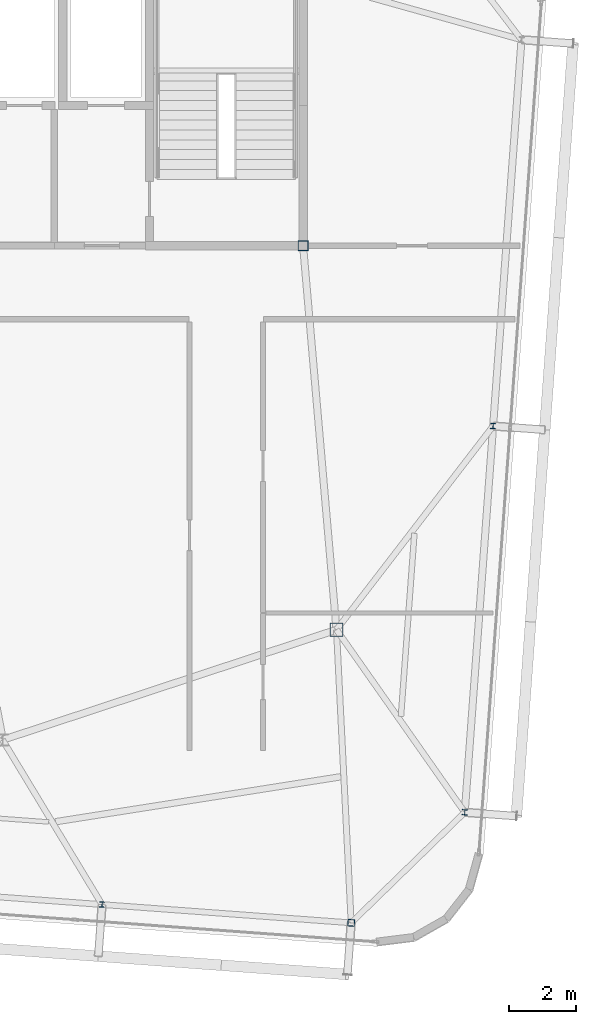
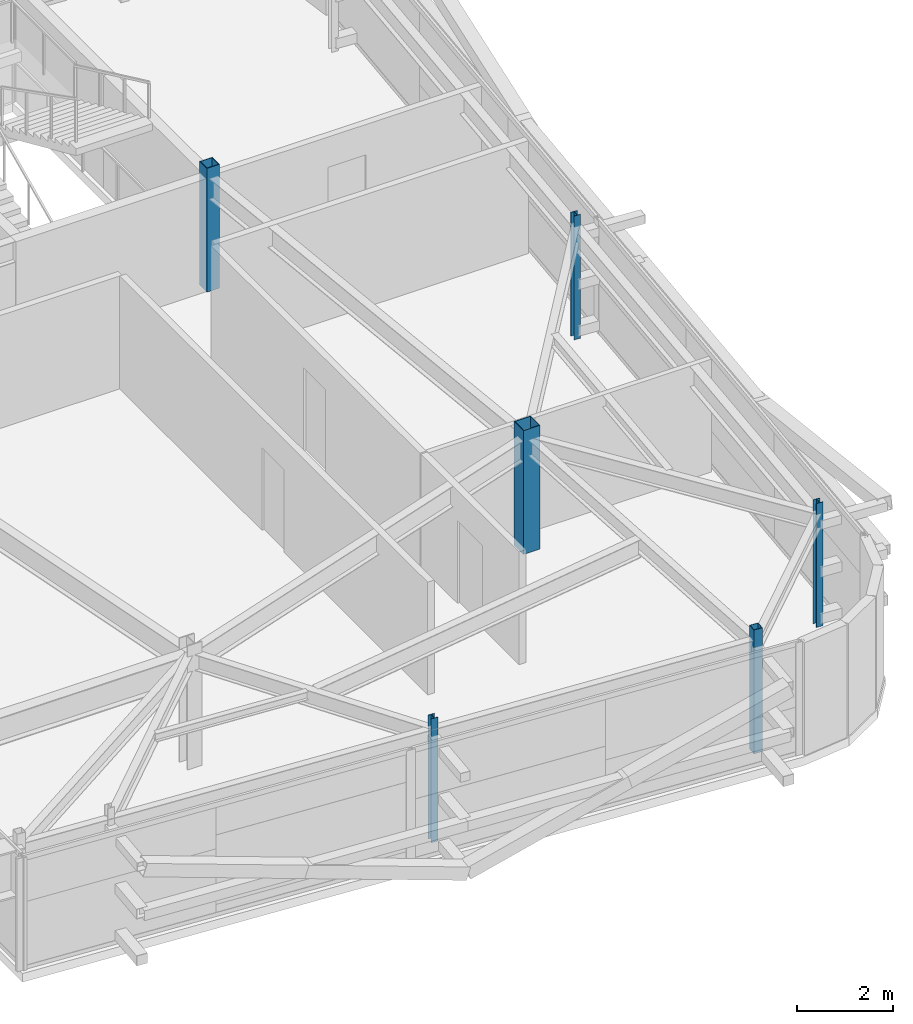
# One storey, part 5 of 40: 6 columns.
"""IFC4 building model written with IfcOpenShell, lengths in metres."""

from ifc_helpers import new_model, si_unit, direction, frame, origin, origin_2d, place, context, subcontext, project, spatial, hollow_rectangle, i_section, extrude, source, transform, mapped, material, material_profile, profile_set, type_object, element, save


model = new_model("IFC4")

# Units and contexts
model_context = context("Model", 3, precision=1e-05, world=origin(), true_north=direction((0.0, 1.0)))
body_context = subcontext(model_context, "Body", "Model", "MODEL_VIEW")
ifc_project = project(units=[si_unit("LENGTHUNIT", "METRE"), si_unit("AREAUNIT", "SQUARE_METRE"), si_unit("VOLUMEUNIT", "CUBIC_METRE"), si_unit("PLANEANGLEUNIT", "RADIAN"), si_unit("MASSUNIT", "GRAM", prefix="KILO")], contexts=[model_context])

# Site, building, storey
site_placement = place(None, origin())
site = spatial("IfcSite", under=ifc_project, at=site_placement, CompositionType="ELEMENT")
building_placement = place(site_placement, origin())
building = spatial("IfcBuilding", under=site, at=building_placement, Name="Taldren Reach Tower", CompositionType="ELEMENT")
storey_placement = place(building_placement, frame((0.0, 0.0, 233.449951171875)))
storey = spatial("IfcBuildingStorey", under=building, at=storey_placement, Name="L71", CompositionType="ELEMENT", Elevation=233.449951171875)

# Columns
ifc_material_1 = material(Name="Steel Gr 450 (C450L0)", Category="steel")
ifc_material_profile_1 = material_profile(ifc_material_1, hollow_rectangle(XDim=0.39990234375, YDim=0.39990234375, WallThickness=0.01611328125, at=origin_2d()), Name="400x400x16.0SHS")
ifc_profile_set_1 = profile_set([ifc_material_profile_1], Name="Steel Gr 450 (C450L0)")
column_type_1 = type_object("IfcColumnType", Name="COL-SHS400", PredefinedType="COLUMN", material=ifc_profile_set_1)
shared_shape_1 = source(origin(), body_context, "Body", "SweptSolid", [
    extrude(hollow_rectangle(XDim=0.39990234375, YDim=0.39990234375, WallThickness=0.01611328125, at=origin_2d()), origin(), (0.0, 0.0, 1.0), 3.150146484375),
])
column_1_placement = place(storey_placement, frame((52.0, 12.5, 0.0), z_axis=(0.0, 0.0, 1.0), x_axis=(1.0, 0.0, 0.0)))
element("IfcColumn", 1, at=column_1_placement, inside=storey, type_object=column_type_1, Name="Mega column MC-SE L71", PredefinedType="COLUMN", context=body_context, shape_type="MappedRepresentation", body=[
    mapped(shared_shape_1, transform((0.0, 0.0, 0.0), scale=1.0)),
])
ifc_material_profile_2 = material_profile(ifc_material_1, hollow_rectangle(XDim=0.300048828125, YDim=0.300048828125, WallThickness=0.012451171875, at=origin_2d()), Name="300x300x12.5SHS")
ifc_profile_set_2 = profile_set([ifc_material_profile_2], Name="Steel Gr 450 (C450L0)")
column_type_2 = type_object("IfcColumnType", Name="COL-SHS300", PredefinedType="COLUMN", material=ifc_profile_set_2)
shared_shape_2 = source(origin(), body_context, "Body", "SweptSolid", [
    extrude(hollow_rectangle(XDim=0.300048828125, YDim=0.300048828125, WallThickness=0.012451171875, at=origin_2d()), origin(), (0.0, 0.0, 1.0), 3.150146484375),
])
column_2_placement = place(storey_placement, frame((51.0, 24.0, 0.0), z_axis=(0.0, 0.0, 1.0), x_axis=(1.0, 0.0, 0.0)))
element("IfcColumn", 2, at=column_2_placement, inside=storey, type_object=column_type_2, Name="Mega column MC-C4 L71", PredefinedType="COLUMN", context=body_context, shape_type="MappedRepresentation", body=[
    mapped(shared_shape_2, transform((0.0, 0.0, 0.0), scale=1.0)),
])
ifc_material_2 = material(Name="Steel Gr 350 (C350L0)", Category="steel")
ifc_material_profile_3 = material_profile(ifc_material_2, hollow_rectangle(XDim=0.199951171875, YDim=0.199951171875, WallThickness=0.009033203125, at=origin_2d()), Name="200x200x9.0SHS")
ifc_profile_set_3 = profile_set([ifc_material_profile_3], Name="Steel Gr 350 (C350L0)")
column_type_3 = type_object("IfcColumnType", Name="COL-SHS200", PredefinedType="COLUMN", material=ifc_profile_set_3)
shared_shape_3 = source(origin(), body_context, "Body", "SweptSolid", [
    extrude(hollow_rectangle(XDim=0.199951171875, YDim=0.199951171875, WallThickness=0.009033203125, at=origin_2d()), origin(), (0.0, 0.0, 1.0), 3.150146484375),
])
column_3_placement = place(storey_placement, frame((52.440185546875, 3.72119140625, 0.0), z_axis=(0.0, 0.0, 1.0), x_axis=(0.997314477224, -0.073238197128, 0.0)))
element("IfcColumn", 3, at=column_3_placement, inside=storey, type_object=column_type_3, Name="Block B5 perimeter column S6 L71", PredefinedType="COLUMN", context=body_context, shape_type="MappedRepresentation", body=[
    mapped(shared_shape_3, transform((0.0, 0.0, 0.0), scale=1.0)),
])
ifc_material_3 = material(Name="Steel Gr 350 (350PLUS)", Category="steel")
ifc_material_profile_4 = material_profile(ifc_material_3, i_section(OverallWidth=0.154052734375, OverallDepth=0.162109375, WebThickness=0.008056640625, FlangeThickness=0.011474609375, at=origin_2d()), Name="150UC37.2")
ifc_profile_set_4 = profile_set([ifc_material_profile_4], Name="Steel Gr 350 (350PLUS)")
column_type_4 = type_object("IfcColumnType", Name="COL-UC150", PredefinedType="COLUMN", material=ifc_profile_set_4)
shared_shape_4 = source(origin(), body_context, "Body", "SweptSolid", [
    extrude(i_section(OverallWidth=0.154052734375, OverallDepth=0.162109375, WebThickness=0.008056640625, FlangeThickness=0.011474609375, at=origin_2d()), origin(), (0.0, 0.0, 1.0), 3.150146484375),
])
for number, where, z_axis, x_axis, name in (
    (4, (44.980224609375, 4.26904296875, 0.0), (0.0, 0.0, 1.0), (0.997314477224, -0.073238197128, 0.0), "Block B5 perimeter column S5 L71"),
    (5, (55.841796875, 7.031005859375, 0.0), (0.0, 0.0, 1.0), (0.997314477224, -0.073238197128, 0.0), "Block B5 perimeter column E1 L71"),
    (6, (56.69140625, 18.599853515625, 0.0), (0.0, 0.0, 1.0), (0.997314477224, -0.073238197128, 0.0), "Block B5 perimeter column E2 L71"),
):
    element("IfcColumn", number, at=place(storey_placement, frame(where, z_axis=z_axis, x_axis=x_axis)), inside=storey, type_object=column_type_4, Name=name, PredefinedType="COLUMN", context=body_context, shape_type="MappedRepresentation", body=[
        mapped(shared_shape_4, transform((0.0, 0.0, 0.0), scale=1.0)),
    ])

save(model, "model.ifc")
